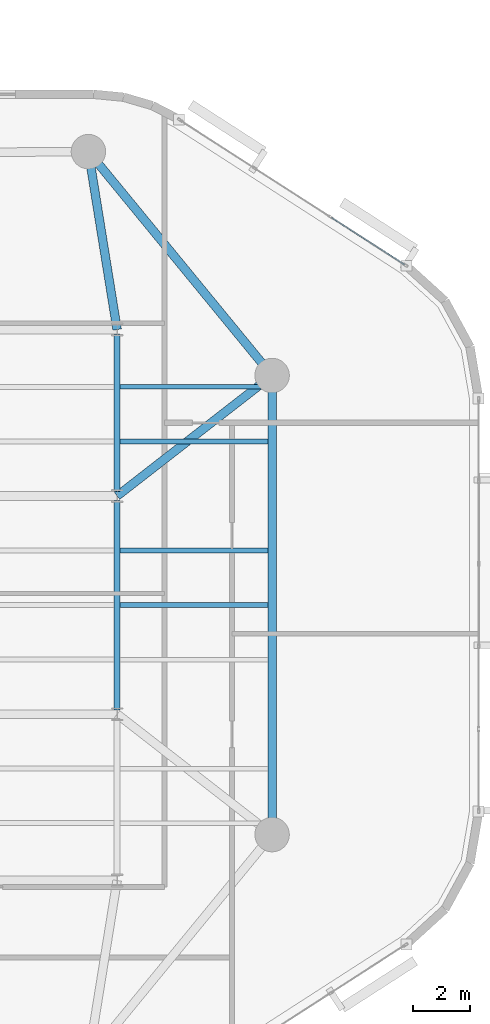
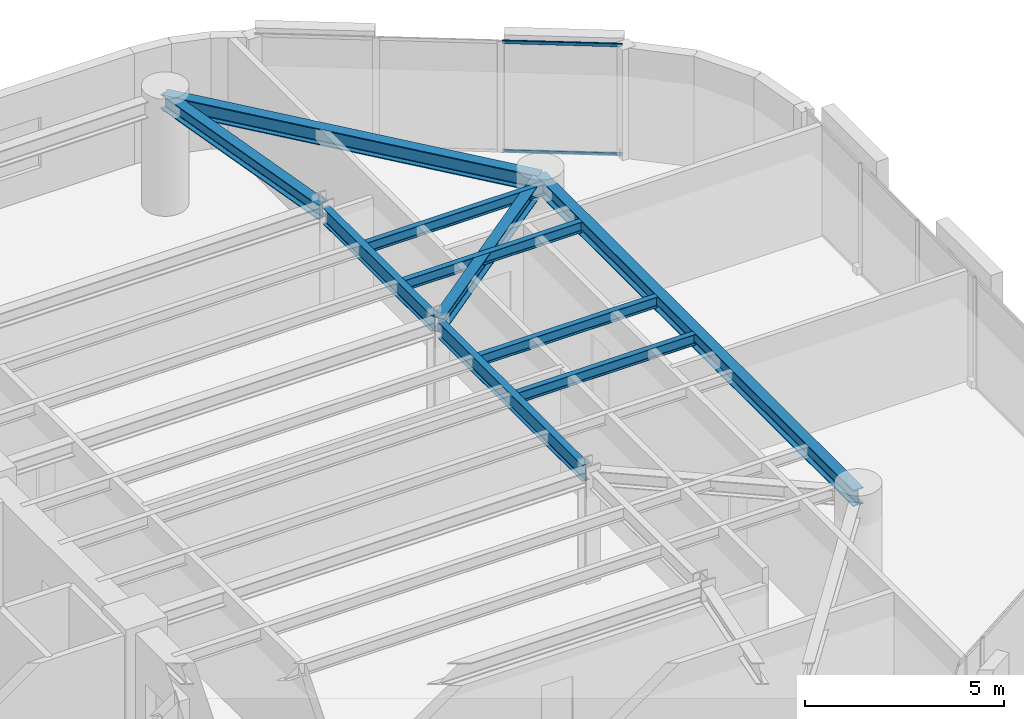
# One storey, part 4 of 15: 10 beams, 2 members, 1 element without a shape of its own.
"""IFC4 building model written with IfcOpenShell, lengths in metres."""

from ifc_helpers import new_model, si_unit, direction, frame, origin, origin_2d, place, context, subcontext, project, spatial, hollow_rectangle, i_section, extrude, material, layer, layer_set, material_profile, profile_set, type_object, element, aggregate, save


model = new_model("IFC4")

# Units and contexts
model_context = context("Model", 3, precision=1e-05, world=origin(), true_north=direction((0.0, 1.0)))
body_context = subcontext(model_context, "Body", "Model", "MODEL_VIEW")
ifc_project = project(units=[si_unit("LENGTHUNIT", "METRE"), si_unit("AREAUNIT", "SQUARE_METRE"), si_unit("VOLUMEUNIT", "CUBIC_METRE"), si_unit("PLANEANGLEUNIT", "RADIAN"), si_unit("MASSUNIT", "GRAM", prefix="KILO")], contexts=[model_context])

# Site, building, storey
site_placement = place(None, origin())
site = spatial("IfcSite", under=ifc_project, at=site_placement, CompositionType="ELEMENT")
building_placement = place(site_placement, origin())
building = spatial("IfcBuilding", under=site, at=building_placement, Name="An Khanh Terracotta Commons", CompositionType="ELEMENT")
storey_placement = place(building_placement, frame((0.0, 0.0, 165.39990234375)))
storey = spatial("IfcBuildingStorey", under=building, at=storey_placement, Name="L43", CompositionType="ELEMENT", Elevation=165.39990234375)

# Beams
ifc_material_1 = material(Name="Steel S355J2", Category="steel")
ifc_material_profile_1 = material_profile(ifc_material_1, i_section(OverallWidth=0.300048828125, OverallDepth=0.449951171875, WebThickness=0.013916015625, FlangeThickness=0.02587890625, FilletRadius=0.027099609375, at=origin_2d()), Name="HEB450")
ifc_profile_set_1 = profile_set([ifc_material_profile_1], Name="Steel S355J2")
beam_type_1 = type_object("IfcBeamType", Name="BM-HEB450", PredefinedType="BEAM", material=ifc_profile_set_1)
beam_1_placement = place(storey_placement, frame((55.800048828125, 32.0, 3.175048828125), z_axis=(-0.789363746927, -0.61392578952, 0.0), x_axis=(0.61392578952, -0.789363746927, 0.0)))
element("IfcBeam", 1, at=beam_1_placement, inside=storey, type_object=beam_type_1, Name="L43 Mega-Column Tie Girder 4", PredefinedType="BEAM", context=body_context, shape_type="SweptSolid", body=[
    extrude(i_section(OverallWidth=0.300048828125, OverallDepth=0.449951171875, WebThickness=0.013916015625, FlangeThickness=0.02587890625, FilletRadius=0.027099609375, at=origin_2d()), origin(), (0.0, 0.0, 1.0), 6.841064453125),
])
beam_2_placement = place(storey_placement, frame((49.39990234375, 39.800048828125, 3.175048828125), z_axis=(0.159233661074, -0.987240923575, 0.0), x_axis=(0.987240923575, 0.159233661074, 0.0)))
element("IfcBeam", 2, at=beam_2_placement, inside=storey, type_object=beam_type_1, Name="L43 Mega-Column Tie Girder 5", PredefinedType="BEAM", context=body_context, shape_type="SweptSolid", body=[
    extrude(i_section(OverallWidth=0.300048828125, OverallDepth=0.449951171875, WebThickness=0.013916015625, FlangeThickness=0.02587890625, FilletRadius=0.027099609375, at=origin_2d()), origin(), (0.0, 0.0, 1.0), 6.280029296875),
])
ifc_material_profile_2 = material_profile(ifc_material_1, i_section(OverallWidth=0.300048828125, OverallDepth=0.5, WebThickness=0.014404296875, FlangeThickness=0.028076171875, FilletRadius=0.027099609375, at=origin_2d()), Name="HEB500")
ifc_profile_set_2 = profile_set([ifc_material_profile_2], Name="Steel S355J2")
beam_type_2 = type_object("IfcBeamType", Name="BM-HEB500", PredefinedType="BEAM", material=ifc_profile_set_2)
beam_3_placement = place(storey_placement, frame((55.800048828125, 16.0, 3.150146484375), z_axis=(0.0, 1.0, 0.0), x_axis=(-1.0, 0.0, 0.0)))
element("IfcBeam", 3, at=beam_3_placement, inside=storey, type_object=beam_type_2, Name="L43 Perimeter Ring Spandrel 3", PredefinedType="BEAM", context=body_context, shape_type="SweptSolid", body=[
    extrude(i_section(OverallWidth=0.300048828125, OverallDepth=0.5, WebThickness=0.014404296875, FlangeThickness=0.028076171875, FilletRadius=0.027099609375, at=origin_2d()), origin(), (0.0, 0.0, 1.0), 16.0),
])
beam_4_placement = place(storey_placement, frame((55.800048828125, 32.0, 3.150146484375), z_axis=(-0.634322915223, 0.7730681983, 0.0), x_axis=(-0.7730681983, -0.634322915223, 0.0)))
element("IfcBeam", 4, at=beam_4_placement, inside=storey, type_object=beam_type_2, Name="L43 Perimeter Ring Spandrel 4", PredefinedType="BEAM", context=body_context, shape_type="SweptSolid", body=[
    extrude(i_section(OverallWidth=0.300048828125, OverallDepth=0.5, WebThickness=0.014404296875, FlangeThickness=0.028076171875, FilletRadius=0.027099609375, at=origin_2d()), origin(), (0.0, 0.0, 1.0), 10.08984375),
])
ifc_material_profile_3 = material_profile(ifc_material_1, i_section(OverallWidth=0.159912109375, OverallDepth=0.330078125, WebThickness=0.007568359375, FlangeThickness=0.011474609375, FilletRadius=0.01806640625, at=origin_2d()), Name="IPE330")
ifc_profile_set_3 = profile_set([ifc_material_profile_3], Name="Steel S355J2")
beam_type_3 = type_object("IfcBeamType", Name="BM-IPE330", PredefinedType="JOIST", material=ifc_profile_set_3)
for number, where, z_axis, x_axis, name in (
    (5, (50.5, 24.0, 3.235107421875), (1.0, 0.0, 0.0), (0.0, 1.0, 0.0), "L43 Riverfront Composite Joist 4"),
    (6, (50.5, 25.89990234375, 3.235107421875), (1.0, 0.0, 0.0), (0.0, 1.0, 0.0), "L43 Riverfront Composite Joist 5"),
    (7, (50.5, 29.699951171875, 3.235107421875), (1.0, 0.0, 0.0), (0.0, 1.0, 0.0), "L43 Riverfront Composite Joist 6"),
    (8, (50.5, 31.60009765625, 3.235107421875), (1.0, 0.0, 0.0), (0.0, 1.0, 0.0), "L43 Riverfront Composite Joist 7"),
):
    element("IfcBeam", number, at=place(storey_placement, frame(where, z_axis=z_axis, x_axis=x_axis)), inside=storey, type_object=beam_type_3, Name=name, PredefinedType="JOIST", context=body_context, shape_type="SweptSolid", body=[
        extrude(i_section(OverallWidth=0.159912109375, OverallDepth=0.330078125, WebThickness=0.007568359375, FlangeThickness=0.011474609375, FilletRadius=0.01806640625, at=origin_2d()), origin(), (0.0, 0.0, 1.0), 5.14990234375),
    ])
ifc_material_profile_4 = material_profile(ifc_material_1, i_section(OverallWidth=0.199951171875, OverallDepth=0.5, WebThickness=0.01025390625, FlangeThickness=0.01611328125, FilletRadius=0.02099609375, at=origin_2d()), Name="IPE500")
ifc_profile_set_4 = profile_set([ifc_material_profile_4], Name="Steel S355J2")
beam_type_4 = type_object("IfcBeamType", Name="BM-IPE500", PredefinedType="BEAM", material=ifc_profile_set_4)
beam_5_placement = place(storey_placement, frame((50.39990234375, 20.35009765625, 3.150146484375), z_axis=(0.0, 1.0, 0.0), x_axis=(-1.0, 0.0, 0.0)))
element("IfcBeam", 9, at=beam_5_placement, inside=storey, type_object=beam_type_4, Name="L43 East Spine Girder 2", PredefinedType="BEAM", context=body_context, shape_type="SweptSolid", body=[
    extrude(i_section(OverallWidth=0.199951171875, OverallDepth=0.5, WebThickness=0.01025390625, FlangeThickness=0.01611328125, FilletRadius=0.02099609375, at=origin_2d()), origin(), (0.0, 0.0, 1.0), 7.2998046875),
])
beam_6_placement = place(storey_placement, frame((50.39990234375, 27.949951171875, 3.150146484375), z_axis=(0.0, 1.0, 0.0), x_axis=(-1.0, 0.0, 0.0)))
element("IfcBeam", 10, at=beam_6_placement, inside=storey, type_object=beam_type_4, Name="L43 East Spine Girder 3", PredefinedType="BEAM", context=body_context, shape_type="SweptSolid", body=[
    extrude(i_section(OverallWidth=0.199951171875, OverallDepth=0.5, WebThickness=0.01025390625, FlangeThickness=0.01611328125, FilletRadius=0.02099609375, at=origin_2d()), origin(), (0.0, 0.0, 1.0), 5.5),
])

# Curtain wall, members
ifc_material_2 = material(Name="Anodised Aluminium 6063-T6", Category="aluminium")
ifc_layer = layer(ifc_material_2, 0.2099609375, Name="Anodised Aluminium 6063-T6")
ifc_layer_set = layer_set([ifc_layer], Name="Anodised Aluminium 6063-T6")
curtain_wall_type = type_object("IfcCurtainWallType", Name="CW-SYS-03", PredefinedType="USERDEFINED", material=ifc_layer_set)
curtain_wall_placement = place(storey_placement, origin())
curtain_wall = element("IfcCurtainWall", 11, at=curtain_wall_placement, inside=storey, type_object=curtain_wall_type, Name="L43 CW-03 Unitised Curtain Wall CW-L43-16", ObjectType="UNITISED CURTAIN WALL", PredefinedType="USERDEFINED")
ifc_material_profile_5 = material_profile(ifc_material_2, hollow_rectangle(XDim=0.050048828125, YDim=0.10009765625, WallThickness=0.003173828125, InnerFilletRadius=0.003173828125, OuterFilletRadius=0.00634765625, at=origin_2d()), Name="RHS100x50x3.2")
ifc_profile_set_5 = profile_set([ifc_material_profile_5], Name="Anodised Aluminium 6063-T6")
member_type = type_object("IfcMemberType", Name="CWT-RHS100x50x3.2", PredefinedType="USERDEFINED", material=ifc_profile_set_5)
member_1_placement = place(storey_placement, frame((60.419189453125, 35.86181640625, 0.025146484375), z_axis=(-0.840673595852, 0.541542154626, 0.0), x_axis=(-0.541542154626, -0.840673595852, 0.0)))
member_1 = element("IfcMember", 12, at=member_1_placement, type_object=member_type, Name="CW-03 transom 1.1", ObjectType="TRANSOM", PredefinedType="USERDEFINED", context=body_context, shape_type="SweptSolid", body=[
    extrude(hollow_rectangle(XDim=0.050048828125, YDim=0.10009765625, WallThickness=0.003173828125, InnerFilletRadius=0.003173828125, OuterFilletRadius=0.00634765625, at=origin_2d()), origin(), (0.0, 0.0, 1.0), 3.034423828125),
])
member_2_placement = place(storey_placement, frame((60.419189453125, 35.86181640625, 3.375), z_axis=(-0.840673595852, 0.541542154626, 0.0), x_axis=(-0.541542154626, -0.840673595852, 0.0)))
member_2 = element("IfcMember", 13, at=member_2_placement, type_object=member_type, Name="CW-03 transom 1.2", ObjectType="TRANSOM", PredefinedType="USERDEFINED", context=body_context, shape_type="SweptSolid", body=[
    extrude(hollow_rectangle(XDim=0.050048828125, YDim=0.10009765625, WallThickness=0.003173828125, InnerFilletRadius=0.003173828125, OuterFilletRadius=0.00634765625, at=origin_2d()), origin(), (0.0, 0.0, 1.0), 3.034423828125),
])
aggregate(curtain_wall, [member_1, member_2])

save(model, "model.ifc")
